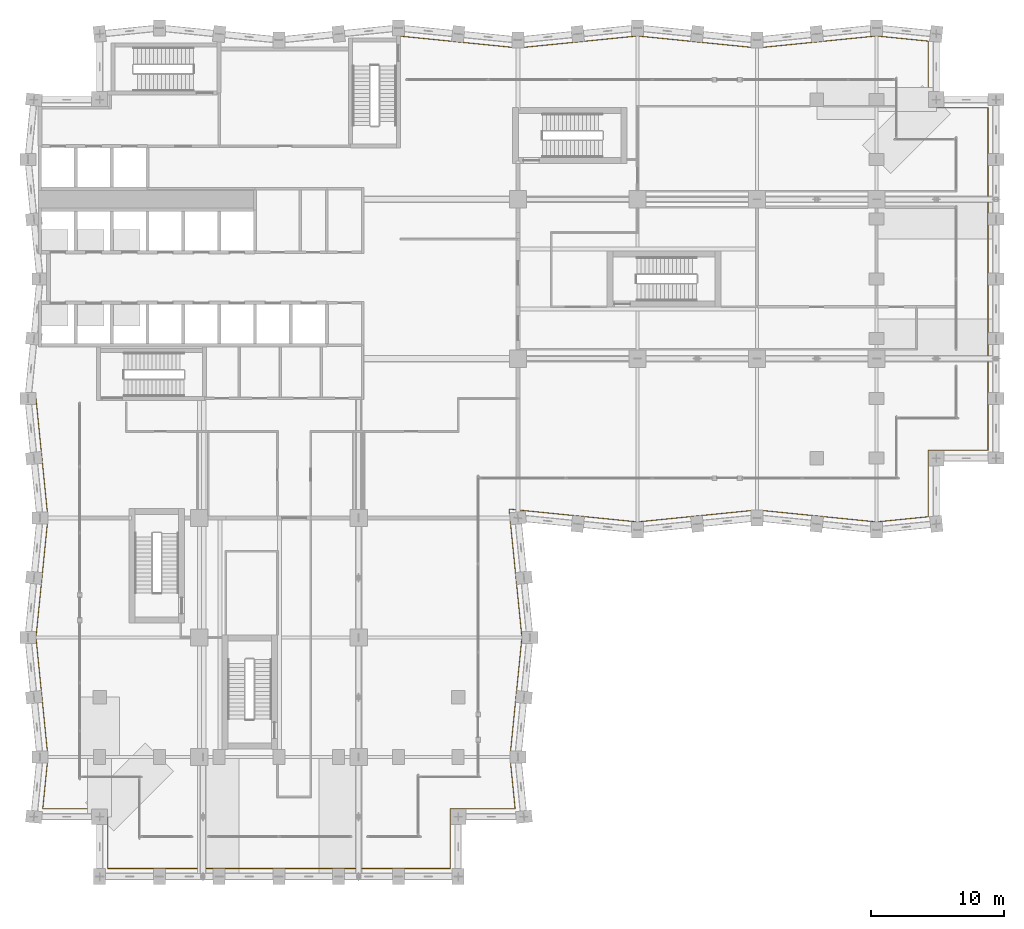
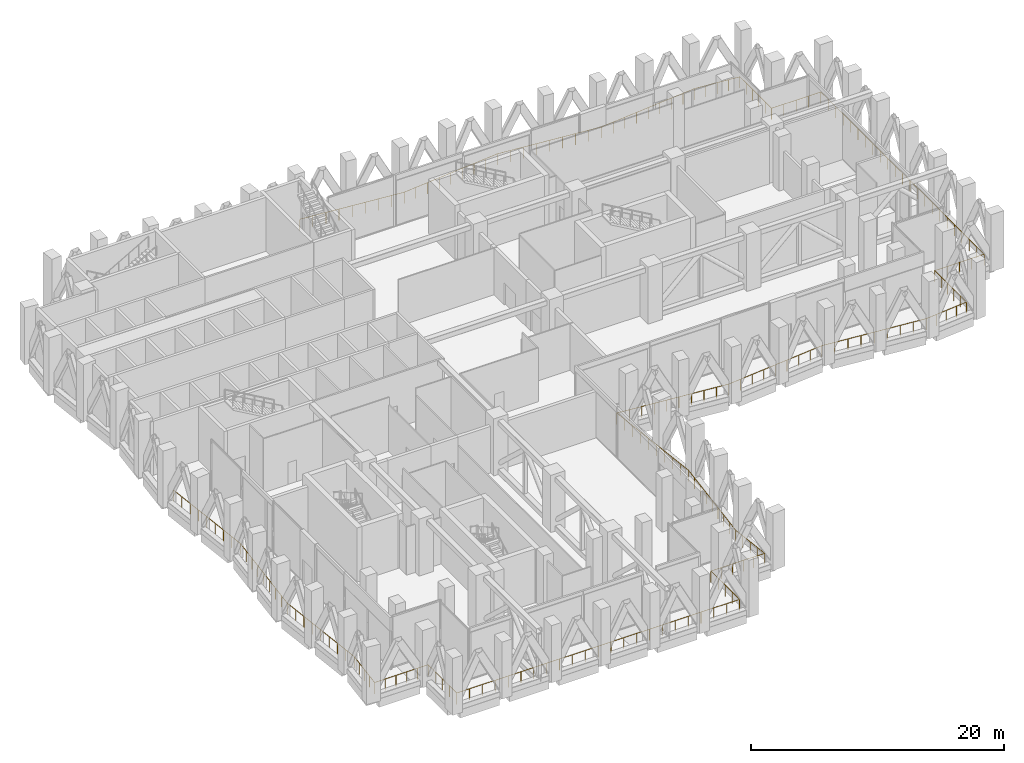
# One storey, part 33 of 37: 1 railing.
"""IFC4 building model written with IfcOpenShell, lengths in metres."""

from ifc_helpers import new_model, si_unit, direction, frame, origin, origin_2d, place, context, subcontext, project, spatial, circle, extrude, material, type_object, element, save


model = new_model("IFC4")

# Units and contexts
model_context = context("Model", 3, precision=1e-05, world=origin(), true_north=direction((0.0, 1.0)))
body_context = subcontext(model_context, "Body", "Model", "MODEL_VIEW")
ifc_project = project(units=[si_unit("LENGTHUNIT", "METRE"), si_unit("AREAUNIT", "SQUARE_METRE"), si_unit("VOLUMEUNIT", "CUBIC_METRE"), si_unit("PLANEANGLEUNIT", "RADIAN"), si_unit("MASSUNIT", "GRAM", prefix="KILO")], contexts=[model_context])

# Site, building, storey
site_placement = place(None, origin())
site = spatial("IfcSite", under=ifc_project, at=site_placement, CompositionType="ELEMENT")
building_placement = place(site_placement, origin())
building = spatial("IfcBuilding", under=site, at=building_placement, Name="Brondeck Convention Tower", CompositionType="ELEMENT")
storey_placement = place(building_placement, frame((0.0, 0.0, 137.89990234375)))
storey = spatial("IfcBuildingStorey", under=building, at=storey_placement, Name="L33", CompositionType="ELEMENT", Elevation=137.89990234375)

# Railing
ifc_material = material(Name="Steel S355, bronze painted", Category="steel")
railing_type = type_object("IfcRailingType", Name="Guard, bronze steel rail and posts", PredefinedType="GUARDRAIL", material=ifc_material)
railing_placement = place(storey_placement, frame((-0.297119140625, 36.0, 0.0)))
element("IfcRailing", 1, at=railing_placement, inside=storey, type_object=railing_type, Name="ENV-RL-L33-1", PredefinedType="GUARDRAIL", context=body_context, shape_type="SweptSolid", body=[
    extrude(circle(Radius=0.02490234375, at=origin_2d()), frame((0.0, 0.0, 1.0751953125), z_axis=(0.0995197539, -0.995035586592, 0.0), x_axis=(0.995035586592, 0.0995197539, 0.0)), (0.0, 0.0, 1.0), 9.044921875),
    extrude(circle(Radius=0.02490234375, at=origin_2d()), frame((0.900146484375, -9.0, 1.0751953125), z_axis=(-0.0995197539, -0.995035586592, 0.0), x_axis=(0.995035586592, -0.0995197539, 0.0)), (0.0, 0.0, 1.0), 9.044921875),
    extrude(circle(Radius=0.02490234375, at=origin_2d()), frame((0.0, -18.0, 1.0751953125), z_axis=(0.0995197539, -0.995035586592, 0.0), x_axis=(0.995035586592, 0.0995197539, 0.0)), (0.0, 0.0, 1.0), 9.044921875),
    extrude(circle(Radius=0.02490234375, at=origin_2d()), frame((0.900146484375, -27.0, 1.0751953125), z_axis=(-0.099540723397, -0.995033489077, 0.0), x_axis=(0.995033489077, -0.099540723397, 0.0)), (0.0, 0.0, 1.0), 3.91943359375),
    extrude(circle(Radius=0.02490234375, at=origin_2d()), frame((0.510009765625, -30.89990234375, 1.0751953125), z_axis=(1.0, 0.0, 0.0), x_axis=(0.0, 1.0, 0.0)), (0.0, 0.0, 1.0), 4.88720703125),
    extrude(circle(Radius=0.02490234375, at=origin_2d()), frame((5.397216796875, -30.89990234375, 1.0751953125), z_axis=(0.0, -1.0, 0.0), x_axis=(1.0, 0.0, 0.0)), (0.0, 0.0, 1.0), 4.5),
    extrude(circle(Radius=0.02490234375, at=origin_2d()), frame((5.397216796875, -35.39990234375, 1.0751953125), z_axis=(1.0, 0.0, 0.0), x_axis=(0.0, 1.0, 0.0)), (0.0, 0.0, 1.0), 25.7998046875),
    extrude(circle(Radius=0.02490234375, at=origin_2d()), frame((31.197021484375, -35.39990234375, 1.0751953125), z_axis=(0.0, 1.0, 0.0), x_axis=(-1.0, 0.0, 0.0)), (0.0, 0.0, 1.0), 4.5),
    extrude(circle(Radius=0.02490234375, at=origin_2d()), frame((31.197021484375, -30.89990234375, 1.0751953125), z_axis=(1.0, 0.0, 0.0), x_axis=(0.0, 1.0, 0.0)), (0.0, 0.0, 1.0), 4.88720703125),
    extrude(circle(Radius=0.02490234375, at=origin_2d()), frame((36.084228515625, -30.89990234375, 1.0751953125), z_axis=(-0.099540723397, 0.995033489077, 0.0), x_axis=(-0.995033489077, -0.099540723397, 0.0)), (0.0, 0.0, 1.0), 3.91943359375),
    extrude(circle(Radius=0.02490234375, at=origin_2d()), frame((35.694091796875, -27.0, 1.0751953125), z_axis=(0.0995197539, 0.995035586592, 0.0), x_axis=(-0.995035586592, 0.0995197539, 0.0)), (0.0, 0.0, 1.0), 9.044921875),
    extrude(circle(Radius=0.02490234375, at=origin_2d()), frame((36.59423828125, -18.0, 1.0751953125), z_axis=(-0.099508693696, 0.99503669273, 0.0), x_axis=(-0.99503669273, -0.099508693696, 0.0)), (0.0, 0.0, 1.0), 9.71826171875),
    extrude(circle(Radius=0.02490234375, at=origin_2d()), frame((35.627197265625, -8.330078125, 1.0751953125), z_axis=(0.99503669273, -0.099508693696, 0.0), x_axis=(0.099508693696, 0.99503669273, 0.0)), (0.0, 0.0, 1.0), 9.71826171875),
    extrude(circle(Radius=0.02490234375, at=origin_2d()), frame((45.297119140625, -9.297119140625, 1.0751953125), z_axis=(0.995035586592, 0.0995197539, 0.0), x_axis=(-0.0995197539, 0.995035586592, 0.0)), (0.0, 0.0, 1.0), 9.044921875),
    extrude(circle(Radius=0.02490234375, at=origin_2d()), frame((54.297119140625, -8.39697265625, 1.0751953125), z_axis=(0.995035586592, -0.0995197539, 0.0), x_axis=(0.0995197539, 0.995035586592, 0.0)), (0.0, 0.0, 1.0), 9.044921875),
    extrude(circle(Radius=0.02490234375, at=origin_2d()), frame((63.297119140625, -9.297119140625, 1.0751953125), z_axis=(0.995033489077, 0.099540723397, 0.0), x_axis=(-0.099540723397, 0.995033489077, 0.0)), (0.0, 0.0, 1.0), 3.91943359375),
    extrude(circle(Radius=0.02490234375, at=origin_2d()), frame((67.197021484375, -8.906982421875, 1.0751953125), z_axis=(0.0, 1.0, 0.0), x_axis=(-1.0, 0.0, 0.0)), (0.0, 0.0, 1.0), 5.007080078125),
    extrude(circle(Radius=0.02490234375, at=origin_2d()), frame((67.197021484375, -3.89990234375, 1.0751953125), z_axis=(1.0, 0.0, 0.0), x_axis=(0.0, 1.0, 0.0)), (0.0, 0.0, 1.0), 4.5),
    extrude(circle(Radius=0.02490234375, at=origin_2d()), frame((71.697021484375, -3.89990234375, 1.0751953125), z_axis=(0.0, 1.0, 0.0), x_axis=(-1.0, 0.0, 0.0)), (0.0, 0.0, 1.0), 25.7998046875),
    extrude(circle(Radius=0.02490234375, at=origin_2d()), frame((71.697021484375, 21.89990234375, 1.0751953125), z_axis=(-1.0, 0.0, 0.0), x_axis=(0.0, -1.0, 0.0)), (0.0, 0.0, 1.0), 4.5),
    extrude(circle(Radius=0.02490234375, at=origin_2d()), frame((67.197021484375, 21.89990234375, 1.0751953125), z_axis=(0.0, 1.0, 0.0), x_axis=(-1.0, 0.0, 0.0)), (0.0, 0.0, 1.0), 5.007080078125),
    extrude(circle(Radius=0.02490234375, at=origin_2d()), frame((67.197021484375, 26.906982421875, 1.0751953125), z_axis=(-0.995033489077, 0.099540723397, 0.0), x_axis=(-0.099540723397, -0.995033489077, 0.0)), (0.0, 0.0, 1.0), 3.91943359375),
    extrude(circle(Radius=0.02490234375, at=origin_2d()), frame((63.297119140625, 27.297119140625, 1.0751953125), z_axis=(-0.995035586592, -0.0995197539, 0.0), x_axis=(0.0995197539, -0.995035586592, 0.0)), (0.0, 0.0, 1.0), 9.044921875),
    extrude(circle(Radius=0.02490234375, at=origin_2d()), frame((54.297119140625, 26.39697265625, 1.0751953125), z_axis=(-0.995035586592, 0.0995197539, 0.0), x_axis=(-0.0995197539, -0.995035586592, 0.0)), (0.0, 0.0, 1.0), 9.044921875),
    extrude(circle(Radius=0.02490234375, at=origin_2d()), frame((45.297119140625, 27.297119140625, 1.0751953125), z_axis=(-0.995035586592, -0.0995197539, 0.0), x_axis=(0.0995197539, -0.995035586592, 0.0)), (0.0, 0.0, 1.0), 9.044921875),
    extrude(circle(Radius=0.02490234375, at=origin_2d()), frame((36.297119140625, 26.39697265625, 1.0751953125), z_axis=(-0.995035586592, 0.0995197539, 0.0), x_axis=(-0.0995197539, -0.995035586592, 0.0)), (0.0, 0.0, 1.0), 9.044921875),
    extrude(circle(Radius=0.02490234375, at=origin_2d()), origin(), (0.0, 0.0, 1.0), 1.050048828125),
    extrude(circle(Radius=0.02490234375, at=origin_2d()), frame((0.112548828125, -1.125, 0.0)), (0.0, 0.0, 1.0), 1.050048828125),
    extrude(circle(Radius=0.02490234375, at=origin_2d()), frame((0.22509765625, -2.25, 0.0)), (0.0, 0.0, 1.0), 1.050048828125),
    extrude(circle(Radius=0.02490234375, at=origin_2d()), frame((0.337646484375, -3.375, 0.0)), (0.0, 0.0, 1.0), 1.050048828125),
    extrude(circle(Radius=0.02490234375, at=origin_2d()), frame((0.4501953125, -4.5, 0.0)), (0.0, 0.0, 1.0), 1.050048828125),
    extrude(circle(Radius=0.02490234375, at=origin_2d()), frame((0.5625, -5.625, 0.0)), (0.0, 0.0, 1.0), 1.050048828125),
    extrude(circle(Radius=0.02490234375, at=origin_2d()), frame((0.675048828125, -6.75, 0.0)), (0.0, 0.0, 1.0), 1.050048828125),
    extrude(circle(Radius=0.02490234375, at=origin_2d()), frame((0.78759765625, -7.875, 0.0)), (0.0, 0.0, 1.0), 1.050048828125),
    extrude(circle(Radius=0.02490234375, at=origin_2d()), frame((0.900146484375, -9.0, 0.0)), (0.0, 0.0, 1.0), 1.050048828125),
    extrude(circle(Radius=0.02490234375, at=origin_2d()), frame((0.78759765625, -10.125, 0.0)), (0.0, 0.0, 1.0), 1.050048828125),
    extrude(circle(Radius=0.02490234375, at=origin_2d()), frame((0.675048828125, -11.25, 0.0)), (0.0, 0.0, 1.0), 1.050048828125),
    extrude(circle(Radius=0.02490234375, at=origin_2d()), frame((0.5625, -12.375, 0.0)), (0.0, 0.0, 1.0), 1.050048828125),
    extrude(circle(Radius=0.02490234375, at=origin_2d()), frame((0.4501953125, -13.5, 0.0)), (0.0, 0.0, 1.0), 1.050048828125),
    extrude(circle(Radius=0.02490234375, at=origin_2d()), frame((0.337646484375, -14.625, 0.0)), (0.0, 0.0, 1.0), 1.050048828125),
    extrude(circle(Radius=0.02490234375, at=origin_2d()), frame((0.22509765625, -15.75, 0.0)), (0.0, 0.0, 1.0), 1.050048828125),
    extrude(circle(Radius=0.02490234375, at=origin_2d()), frame((0.112548828125, -16.875, 0.0)), (0.0, 0.0, 1.0), 1.050048828125),
    extrude(circle(Radius=0.02490234375, at=origin_2d()), frame((0.0, -18.0, 0.0)), (0.0, 0.0, 1.0), 1.050048828125),
    extrude(circle(Radius=0.02490234375, at=origin_2d()), frame((0.112548828125, -19.125, 0.0)), (0.0, 0.0, 1.0), 1.050048828125),
    extrude(circle(Radius=0.02490234375, at=origin_2d()), frame((0.22509765625, -20.25, 0.0)), (0.0, 0.0, 1.0), 1.050048828125),
    extrude(circle(Radius=0.02490234375, at=origin_2d()), frame((0.337646484375, -21.375, 0.0)), (0.0, 0.0, 1.0), 1.050048828125),
    extrude(circle(Radius=0.02490234375, at=origin_2d()), frame((0.4501953125, -22.5, 0.0)), (0.0, 0.0, 1.0), 1.050048828125),
    extrude(circle(Radius=0.02490234375, at=origin_2d()), frame((0.5625, -23.625, 0.0)), (0.0, 0.0, 1.0), 1.050048828125),
    extrude(circle(Radius=0.02490234375, at=origin_2d()), frame((0.675048828125, -24.75, 0.0)), (0.0, 0.0, 1.0), 1.050048828125),
    extrude(circle(Radius=0.02490234375, at=origin_2d()), frame((0.78759765625, -25.875, 0.0)), (0.0, 0.0, 1.0), 1.050048828125),
    extrude(circle(Radius=0.02490234375, at=origin_2d()), frame((0.900146484375, -27.0, 0.0)), (0.0, 0.0, 1.0), 1.050048828125),
    extrude(circle(Radius=0.02490234375, at=origin_2d()), frame((0.802734375, -27.97509765625, 0.0)), (0.0, 0.0, 1.0), 1.050048828125),
    extrude(circle(Radius=0.02490234375, at=origin_2d()), frame((0.705078125, -28.949951171875, 0.0)), (0.0, 0.0, 1.0), 1.050048828125),
    extrude(circle(Radius=0.02490234375, at=origin_2d()), frame((0.607421875, -29.9248046875, 0.0)), (0.0, 0.0, 1.0), 1.050048828125),
    extrude(circle(Radius=0.02490234375, at=origin_2d()), frame((0.510009765625, -30.89990234375, 0.0)), (0.0, 0.0, 1.0), 1.050048828125),
    extrude(circle(Radius=0.02490234375, at=origin_2d()), frame((1.487548828125, -30.89990234375, 0.0)), (0.0, 0.0, 1.0), 1.050048828125),
    extrude(circle(Radius=0.02490234375, at=origin_2d()), frame((2.46484375, -30.89990234375, 0.0)), (0.0, 0.0, 1.0), 1.050048828125),
    extrude(circle(Radius=0.02490234375, at=origin_2d()), frame((3.4423828125, -30.89990234375, 0.0)), (0.0, 0.0, 1.0), 1.050048828125),
    extrude(circle(Radius=0.02490234375, at=origin_2d()), frame((4.419677734375, -30.89990234375, 0.0)), (0.0, 0.0, 1.0), 1.050048828125),
    extrude(circle(Radius=0.02490234375, at=origin_2d()), frame((5.397216796875, -30.89990234375, 0.0)), (0.0, 0.0, 1.0), 1.050048828125),
    extrude(circle(Radius=0.02490234375, at=origin_2d()), frame((5.397216796875, -32.02490234375, 0.0)), (0.0, 0.0, 1.0), 1.050048828125),
    extrude(circle(Radius=0.02490234375, at=origin_2d()), frame((5.397216796875, -33.14990234375, 0.0)), (0.0, 0.0, 1.0), 1.050048828125),
    extrude(circle(Radius=0.02490234375, at=origin_2d()), frame((5.397216796875, -34.27490234375, 0.0)), (0.0, 0.0, 1.0), 1.050048828125),
    extrude(circle(Radius=0.02490234375, at=origin_2d()), frame((5.397216796875, -35.39990234375, 0.0)), (0.0, 0.0, 1.0), 1.050048828125),
    extrude(circle(Radius=0.02490234375, at=origin_2d()), frame((6.56982421875, -35.39990234375, 0.0)), (0.0, 0.0, 1.0), 1.050048828125),
    extrude(circle(Radius=0.02490234375, at=origin_2d()), frame((7.74267578125, -35.39990234375, 0.0)), (0.0, 0.0, 1.0), 1.050048828125),
    extrude(circle(Radius=0.02490234375, at=origin_2d()), frame((8.915283203125, -35.39990234375, 0.0)), (0.0, 0.0, 1.0), 1.050048828125),
    extrude(circle(Radius=0.02490234375, at=origin_2d()), frame((10.088134765625, -35.39990234375, 0.0)), (0.0, 0.0, 1.0), 1.050048828125),
    extrude(circle(Radius=0.02490234375, at=origin_2d()), frame((11.2607421875, -35.39990234375, 0.0)), (0.0, 0.0, 1.0), 1.050048828125),
    extrude(circle(Radius=0.02490234375, at=origin_2d()), frame((12.43359375, -35.39990234375, 0.0)), (0.0, 0.0, 1.0), 1.050048828125),
    extrude(circle(Radius=0.02490234375, at=origin_2d()), frame((13.606201171875, -35.39990234375, 0.0)), (0.0, 0.0, 1.0), 1.050048828125),
    extrude(circle(Radius=0.02490234375, at=origin_2d()), frame((14.779052734375, -35.39990234375, 0.0)), (0.0, 0.0, 1.0), 1.050048828125),
    extrude(circle(Radius=0.02490234375, at=origin_2d()), frame((15.95166015625, -35.39990234375, 0.0)), (0.0, 0.0, 1.0), 1.050048828125),
    extrude(circle(Radius=0.02490234375, at=origin_2d()), frame((17.12451171875, -35.39990234375, 0.0)), (0.0, 0.0, 1.0), 1.050048828125),
    extrude(circle(Radius=0.02490234375, at=origin_2d()), frame((18.297119140625, -35.39990234375, 0.0)), (0.0, 0.0, 1.0), 1.050048828125),
    extrude(circle(Radius=0.02490234375, at=origin_2d()), frame((19.4697265625, -35.39990234375, 0.0)), (0.0, 0.0, 1.0), 1.050048828125),
    extrude(circle(Radius=0.02490234375, at=origin_2d()), frame((20.642578125, -35.39990234375, 0.0)), (0.0, 0.0, 1.0), 1.050048828125),
    extrude(circle(Radius=0.02490234375, at=origin_2d()), frame((21.815185546875, -35.39990234375, 0.0)), (0.0, 0.0, 1.0), 1.050048828125),
    extrude(circle(Radius=0.02490234375, at=origin_2d()), frame((22.988037109375, -35.39990234375, 0.0)), (0.0, 0.0, 1.0), 1.050048828125),
    extrude(circle(Radius=0.02490234375, at=origin_2d()), frame((24.16064453125, -35.39990234375, 0.0)), (0.0, 0.0, 1.0), 1.050048828125),
    extrude(circle(Radius=0.02490234375, at=origin_2d()), frame((25.33349609375, -35.39990234375, 0.0)), (0.0, 0.0, 1.0), 1.050048828125),
    extrude(circle(Radius=0.02490234375, at=origin_2d()), frame((26.506103515625, -35.39990234375, 0.0)), (0.0, 0.0, 1.0), 1.050048828125),
    extrude(circle(Radius=0.02490234375, at=origin_2d()), frame((27.678955078125, -35.39990234375, 0.0)), (0.0, 0.0, 1.0), 1.050048828125),
    extrude(circle(Radius=0.02490234375, at=origin_2d()), frame((28.8515625, -35.39990234375, 0.0)), (0.0, 0.0, 1.0), 1.050048828125),
    extrude(circle(Radius=0.02490234375, at=origin_2d()), frame((30.0244140625, -35.39990234375, 0.0)), (0.0, 0.0, 1.0), 1.050048828125),
    extrude(circle(Radius=0.02490234375, at=origin_2d()), frame((31.197021484375, -35.39990234375, 0.0)), (0.0, 0.0, 1.0), 1.050048828125),
    extrude(circle(Radius=0.02490234375, at=origin_2d()), frame((31.197021484375, -34.27490234375, 0.0)), (0.0, 0.0, 1.0), 1.050048828125),
    extrude(circle(Radius=0.02490234375, at=origin_2d()), frame((31.197021484375, -33.14990234375, 0.0)), (0.0, 0.0, 1.0), 1.050048828125),
    extrude(circle(Radius=0.02490234375, at=origin_2d()), frame((31.197021484375, -32.02490234375, 0.0)), (0.0, 0.0, 1.0), 1.050048828125),
    extrude(circle(Radius=0.02490234375, at=origin_2d()), frame((31.197021484375, -30.89990234375, 0.0)), (0.0, 0.0, 1.0), 1.050048828125),
    extrude(circle(Radius=0.02490234375, at=origin_2d()), frame((32.174560546875, -30.89990234375, 0.0)), (0.0, 0.0, 1.0), 1.050048828125),
    extrude(circle(Radius=0.02490234375, at=origin_2d()), frame((33.15185546875, -30.89990234375, 0.0)), (0.0, 0.0, 1.0), 1.050048828125),
    extrude(circle(Radius=0.02490234375, at=origin_2d()), frame((34.12939453125, -30.89990234375, 0.0)), (0.0, 0.0, 1.0), 1.050048828125),
    extrude(circle(Radius=0.02490234375, at=origin_2d()), frame((35.106689453125, -30.89990234375, 0.0)), (0.0, 0.0, 1.0), 1.050048828125),
    extrude(circle(Radius=0.02490234375, at=origin_2d()), frame((36.084228515625, -30.89990234375, 0.0)), (0.0, 0.0, 1.0), 1.050048828125),
    extrude(circle(Radius=0.02490234375, at=origin_2d()), frame((35.98681640625, -29.9248046875, 0.0)), (0.0, 0.0, 1.0), 1.050048828125),
    extrude(circle(Radius=0.02490234375, at=origin_2d()), frame((35.88916015625, -28.949951171875, 0.0)), (0.0, 0.0, 1.0), 1.050048828125),
    extrude(circle(Radius=0.02490234375, at=origin_2d()), frame((35.79150390625, -27.97509765625, 0.0)), (0.0, 0.0, 1.0), 1.050048828125),
    extrude(circle(Radius=0.02490234375, at=origin_2d()), frame((35.694091796875, -27.0, 0.0)), (0.0, 0.0, 1.0), 1.050048828125),
    extrude(circle(Radius=0.02490234375, at=origin_2d()), frame((35.806640625, -25.875, 0.0)), (0.0, 0.0, 1.0), 1.050048828125),
    extrude(circle(Radius=0.02490234375, at=origin_2d()), frame((35.919189453125, -24.75, 0.0)), (0.0, 0.0, 1.0), 1.050048828125),
    extrude(circle(Radius=0.02490234375, at=origin_2d()), frame((36.03173828125, -23.625, 0.0)), (0.0, 0.0, 1.0), 1.050048828125),
    extrude(circle(Radius=0.02490234375, at=origin_2d()), frame((36.14404296875, -22.5, 0.0)), (0.0, 0.0, 1.0), 1.050048828125),
    extrude(circle(Radius=0.02490234375, at=origin_2d()), frame((36.256591796875, -21.375, 0.0)), (0.0, 0.0, 1.0), 1.050048828125),
    extrude(circle(Radius=0.02490234375, at=origin_2d()), frame((36.369140625, -20.25, 0.0)), (0.0, 0.0, 1.0), 1.050048828125),
    extrude(circle(Radius=0.02490234375, at=origin_2d()), frame((36.481689453125, -19.125, 0.0)), (0.0, 0.0, 1.0), 1.050048828125),
    extrude(circle(Radius=0.02490234375, at=origin_2d()), frame((36.59423828125, -18.0, 0.0)), (0.0, 0.0, 1.0), 1.050048828125),
    extrude(circle(Radius=0.02490234375, at=origin_2d()), frame((36.48681640625, -16.925537109375, 0.0)), (0.0, 0.0, 1.0), 1.050048828125),
    extrude(circle(Radius=0.02490234375, at=origin_2d()), frame((36.37939453125, -15.85107421875, 0.0)), (0.0, 0.0, 1.0), 1.050048828125),
    extrude(circle(Radius=0.02490234375, at=origin_2d()), frame((36.27197265625, -14.776611328125, 0.0)), (0.0, 0.0, 1.0), 1.050048828125),
    extrude(circle(Radius=0.02490234375, at=origin_2d()), frame((36.16455078125, -13.7021484375, 0.0)), (0.0, 0.0, 1.0), 1.050048828125),
    extrude(circle(Radius=0.02490234375, at=origin_2d()), frame((36.056884765625, -12.6279296875, 0.0)), (0.0, 0.0, 1.0), 1.050048828125),
    extrude(circle(Radius=0.02490234375, at=origin_2d()), frame((35.949462890625, -11.553466796875, 0.0)), (0.0, 0.0, 1.0), 1.050048828125),
    extrude(circle(Radius=0.02490234375, at=origin_2d()), frame((35.842041015625, -10.47900390625, 0.0)), (0.0, 0.0, 1.0), 1.050048828125),
    extrude(circle(Radius=0.02490234375, at=origin_2d()), frame((35.734619140625, -9.404541015625, 0.0)), (0.0, 0.0, 1.0), 1.050048828125),
    extrude(circle(Radius=0.02490234375, at=origin_2d()), frame((35.627197265625, -8.330078125, 0.0)), (0.0, 0.0, 1.0), 1.050048828125),
    extrude(circle(Radius=0.02490234375, at=origin_2d()), frame((36.70166015625, -8.4375, 0.0)), (0.0, 0.0, 1.0), 1.050048828125),
    extrude(circle(Radius=0.02490234375, at=origin_2d()), frame((37.776123046875, -8.544921875, 0.0)), (0.0, 0.0, 1.0), 1.050048828125),
    extrude(circle(Radius=0.02490234375, at=origin_2d()), frame((38.8505859375, -8.65234375, 0.0)), (0.0, 0.0, 1.0), 1.050048828125),
    extrude(circle(Radius=0.02490234375, at=origin_2d()), frame((39.925048828125, -8.759765625, 0.0)), (0.0, 0.0, 1.0), 1.050048828125),
    extrude(circle(Radius=0.02490234375, at=origin_2d()), frame((40.999267578125, -8.867431640625, 0.0)), (0.0, 0.0, 1.0), 1.050048828125),
    extrude(circle(Radius=0.02490234375, at=origin_2d()), frame((42.07373046875, -8.974853515625, 0.0)), (0.0, 0.0, 1.0), 1.050048828125),
    extrude(circle(Radius=0.02490234375, at=origin_2d()), frame((43.148193359375, -9.082275390625, 0.0)), (0.0, 0.0, 1.0), 1.050048828125),
    extrude(circle(Radius=0.02490234375, at=origin_2d()), frame((44.22265625, -9.189697265625, 0.0)), (0.0, 0.0, 1.0), 1.050048828125),
    extrude(circle(Radius=0.02490234375, at=origin_2d()), frame((45.297119140625, -9.297119140625, 0.0)), (0.0, 0.0, 1.0), 1.050048828125),
    extrude(circle(Radius=0.02490234375, at=origin_2d()), frame((46.422119140625, -9.1845703125, 0.0)), (0.0, 0.0, 1.0), 1.050048828125),
    extrude(circle(Radius=0.02490234375, at=origin_2d()), frame((47.547119140625, -9.072021484375, 0.0)), (0.0, 0.0, 1.0), 1.050048828125),
    extrude(circle(Radius=0.02490234375, at=origin_2d()), frame((48.672119140625, -8.95947265625, 0.0)), (0.0, 0.0, 1.0), 1.050048828125),
    extrude(circle(Radius=0.02490234375, at=origin_2d()), frame((49.797119140625, -8.84716796875, 0.0)), (0.0, 0.0, 1.0), 1.050048828125),
    extrude(circle(Radius=0.02490234375, at=origin_2d()), frame((50.922119140625, -8.734619140625, 0.0)), (0.0, 0.0, 1.0), 1.050048828125),
    extrude(circle(Radius=0.02490234375, at=origin_2d()), frame((52.047119140625, -8.6220703125, 0.0)), (0.0, 0.0, 1.0), 1.050048828125),
    extrude(circle(Radius=0.02490234375, at=origin_2d()), frame((53.172119140625, -8.509521484375, 0.0)), (0.0, 0.0, 1.0), 1.050048828125),
    extrude(circle(Radius=0.02490234375, at=origin_2d()), frame((54.297119140625, -8.39697265625, 0.0)), (0.0, 0.0, 1.0), 1.050048828125),
    extrude(circle(Radius=0.02490234375, at=origin_2d()), frame((55.422119140625, -8.509521484375, 0.0)), (0.0, 0.0, 1.0), 1.050048828125),
    extrude(circle(Radius=0.02490234375, at=origin_2d()), frame((56.547119140625, -8.6220703125, 0.0)), (0.0, 0.0, 1.0), 1.050048828125),
    extrude(circle(Radius=0.02490234375, at=origin_2d()), frame((57.672119140625, -8.734619140625, 0.0)), (0.0, 0.0, 1.0), 1.050048828125),
    extrude(circle(Radius=0.02490234375, at=origin_2d()), frame((58.797119140625, -8.84716796875, 0.0)), (0.0, 0.0, 1.0), 1.050048828125),
    extrude(circle(Radius=0.02490234375, at=origin_2d()), frame((59.922119140625, -8.95947265625, 0.0)), (0.0, 0.0, 1.0), 1.050048828125),
    extrude(circle(Radius=0.02490234375, at=origin_2d()), frame((61.047119140625, -9.072021484375, 0.0)), (0.0, 0.0, 1.0), 1.050048828125),
    extrude(circle(Radius=0.02490234375, at=origin_2d()), frame((62.172119140625, -9.1845703125, 0.0)), (0.0, 0.0, 1.0), 1.050048828125),
    extrude(circle(Radius=0.02490234375, at=origin_2d()), frame((63.297119140625, -9.297119140625, 0.0)), (0.0, 0.0, 1.0), 1.050048828125),
    extrude(circle(Radius=0.02490234375, at=origin_2d()), frame((64.27197265625, -9.19970703125, 0.0)), (0.0, 0.0, 1.0), 1.050048828125),
    extrude(circle(Radius=0.02490234375, at=origin_2d()), frame((65.2470703125, -9.10205078125, 0.0)), (0.0, 0.0, 1.0), 1.050048828125),
    extrude(circle(Radius=0.02490234375, at=origin_2d()), frame((66.22216796875, -9.00439453125, 0.0)), (0.0, 0.0, 1.0), 1.050048828125),
    extrude(circle(Radius=0.02490234375, at=origin_2d()), frame((67.197021484375, -8.906982421875, 0.0)), (0.0, 0.0, 1.0), 1.050048828125),
    extrude(circle(Radius=0.02490234375, at=origin_2d()), frame((67.197021484375, -7.905517578125, 0.0)), (0.0, 0.0, 1.0), 1.050048828125),
    extrude(circle(Radius=0.02490234375, at=origin_2d()), frame((67.197021484375, -6.904052734375, 0.0)), (0.0, 0.0, 1.0), 1.050048828125),
    extrude(circle(Radius=0.02490234375, at=origin_2d()), frame((67.197021484375, -5.90283203125, 0.0)), (0.0, 0.0, 1.0), 1.050048828125),
    extrude(circle(Radius=0.02490234375, at=origin_2d()), frame((67.197021484375, -4.9013671875, 0.0)), (0.0, 0.0, 1.0), 1.050048828125),
    extrude(circle(Radius=0.02490234375, at=origin_2d()), frame((67.197021484375, -3.89990234375, 0.0)), (0.0, 0.0, 1.0), 1.050048828125),
    extrude(circle(Radius=0.02490234375, at=origin_2d()), frame((68.322021484375, -3.89990234375, 0.0)), (0.0, 0.0, 1.0), 1.050048828125),
    extrude(circle(Radius=0.02490234375, at=origin_2d()), frame((69.447021484375, -3.89990234375, 0.0)), (0.0, 0.0, 1.0), 1.050048828125),
    extrude(circle(Radius=0.02490234375, at=origin_2d()), frame((70.572021484375, -3.89990234375, 0.0)), (0.0, 0.0, 1.0), 1.050048828125),
    extrude(circle(Radius=0.02490234375, at=origin_2d()), frame((71.697021484375, -3.89990234375, 0.0)), (0.0, 0.0, 1.0), 1.050048828125),
    extrude(circle(Radius=0.02490234375, at=origin_2d()), frame((71.697021484375, -2.727294921875, 0.0)), (0.0, 0.0, 1.0), 1.050048828125),
    extrude(circle(Radius=0.02490234375, at=origin_2d()), frame((71.697021484375, -1.554443359375, 0.0)), (0.0, 0.0, 1.0), 1.050048828125),
    extrude(circle(Radius=0.02490234375, at=origin_2d()), frame((71.697021484375, -0.3818359375, 0.0)), (0.0, 0.0, 1.0), 1.050048828125),
    extrude(circle(Radius=0.02490234375, at=origin_2d()), frame((71.697021484375, 0.791015625, 0.0)), (0.0, 0.0, 1.0), 1.050048828125),
    extrude(circle(Radius=0.02490234375, at=origin_2d()), frame((71.697021484375, 1.963623046875, 0.0)), (0.0, 0.0, 1.0), 1.050048828125),
    extrude(circle(Radius=0.02490234375, at=origin_2d()), frame((71.697021484375, 3.136474609375, 0.0)), (0.0, 0.0, 1.0), 1.050048828125),
    extrude(circle(Radius=0.02490234375, at=origin_2d()), frame((71.697021484375, 4.30908203125, 0.0)), (0.0, 0.0, 1.0), 1.050048828125),
    extrude(circle(Radius=0.02490234375, at=origin_2d()), frame((71.697021484375, 5.48193359375, 0.0)), (0.0, 0.0, 1.0), 1.050048828125),
    extrude(circle(Radius=0.02490234375, at=origin_2d()), frame((71.697021484375, 6.654541015625, 0.0)), (0.0, 0.0, 1.0), 1.050048828125),
    extrude(circle(Radius=0.02490234375, at=origin_2d()), frame((71.697021484375, 7.827392578125, 0.0)), (0.0, 0.0, 1.0), 1.050048828125),
    extrude(circle(Radius=0.02490234375, at=origin_2d()), frame((71.697021484375, 9.0, 0.0)), (0.0, 0.0, 1.0), 1.050048828125),
    extrude(circle(Radius=0.02490234375, at=origin_2d()), frame((71.697021484375, 10.172607421875, 0.0)), (0.0, 0.0, 1.0), 1.050048828125),
    extrude(circle(Radius=0.02490234375, at=origin_2d()), frame((71.697021484375, 11.345458984375, 0.0)), (0.0, 0.0, 1.0), 1.050048828125),
    extrude(circle(Radius=0.02490234375, at=origin_2d()), frame((71.697021484375, 12.51806640625, 0.0)), (0.0, 0.0, 1.0), 1.050048828125),
    extrude(circle(Radius=0.02490234375, at=origin_2d()), frame((71.697021484375, 13.69091796875, 0.0)), (0.0, 0.0, 1.0), 1.050048828125),
    extrude(circle(Radius=0.02490234375, at=origin_2d()), frame((71.697021484375, 14.863525390625, 0.0)), (0.0, 0.0, 1.0), 1.050048828125),
    extrude(circle(Radius=0.02490234375, at=origin_2d()), frame((71.697021484375, 16.036376953125, 0.0)), (0.0, 0.0, 1.0), 1.050048828125),
    extrude(circle(Radius=0.02490234375, at=origin_2d()), frame((71.697021484375, 17.208984375, 0.0)), (0.0, 0.0, 1.0), 1.050048828125),
    extrude(circle(Radius=0.02490234375, at=origin_2d()), frame((71.697021484375, 18.3818359375, 0.0)), (0.0, 0.0, 1.0), 1.050048828125),
    extrude(circle(Radius=0.02490234375, at=origin_2d()), frame((71.697021484375, 19.554443359375, 0.0)), (0.0, 0.0, 1.0), 1.050048828125),
    extrude(circle(Radius=0.02490234375, at=origin_2d()), frame((71.697021484375, 20.727294921875, 0.0)), (0.0, 0.0, 1.0), 1.050048828125),
    extrude(circle(Radius=0.02490234375, at=origin_2d()), frame((71.697021484375, 21.89990234375, 0.0)), (0.0, 0.0, 1.0), 1.050048828125),
    extrude(circle(Radius=0.02490234375, at=origin_2d()), frame((70.572021484375, 21.89990234375, 0.0)), (0.0, 0.0, 1.0), 1.050048828125),
    extrude(circle(Radius=0.02490234375, at=origin_2d()), frame((69.447021484375, 21.89990234375, 0.0)), (0.0, 0.0, 1.0), 1.050048828125),
    extrude(circle(Radius=0.02490234375, at=origin_2d()), frame((68.322021484375, 21.89990234375, 0.0)), (0.0, 0.0, 1.0), 1.050048828125),
    extrude(circle(Radius=0.02490234375, at=origin_2d()), frame((67.197021484375, 21.89990234375, 0.0)), (0.0, 0.0, 1.0), 1.050048828125),
    extrude(circle(Radius=0.02490234375, at=origin_2d()), frame((67.197021484375, 22.9013671875, 0.0)), (0.0, 0.0, 1.0), 1.050048828125),
    extrude(circle(Radius=0.02490234375, at=origin_2d()), frame((67.197021484375, 23.90283203125, 0.0)), (0.0, 0.0, 1.0), 1.050048828125),
    extrude(circle(Radius=0.02490234375, at=origin_2d()), frame((67.197021484375, 24.904052734375, 0.0)), (0.0, 0.0, 1.0), 1.050048828125),
    extrude(circle(Radius=0.02490234375, at=origin_2d()), frame((67.197021484375, 25.905517578125, 0.0)), (0.0, 0.0, 1.0), 1.050048828125),
    extrude(circle(Radius=0.02490234375, at=origin_2d()), frame((67.197021484375, 26.906982421875, 0.0)), (0.0, 0.0, 1.0), 1.050048828125),
    extrude(circle(Radius=0.02490234375, at=origin_2d()), frame((66.22216796875, 27.00439453125, 0.0)), (0.0, 0.0, 1.0), 1.050048828125),
    extrude(circle(Radius=0.02490234375, at=origin_2d()), frame((65.2470703125, 27.10205078125, 0.0)), (0.0, 0.0, 1.0), 1.050048828125),
    extrude(circle(Radius=0.02490234375, at=origin_2d()), frame((64.27197265625, 27.19970703125, 0.0)), (0.0, 0.0, 1.0), 1.050048828125),
    extrude(circle(Radius=0.02490234375, at=origin_2d()), frame((63.297119140625, 27.297119140625, 0.0)), (0.0, 0.0, 1.0), 1.050048828125),
    extrude(circle(Radius=0.02490234375, at=origin_2d()), frame((62.172119140625, 27.1845703125, 0.0)), (0.0, 0.0, 1.0), 1.050048828125),
    extrude(circle(Radius=0.02490234375, at=origin_2d()), frame((61.047119140625, 27.072021484375, 0.0)), (0.0, 0.0, 1.0), 1.050048828125),
    extrude(circle(Radius=0.02490234375, at=origin_2d()), frame((59.922119140625, 26.95947265625, 0.0)), (0.0, 0.0, 1.0), 1.050048828125),
    extrude(circle(Radius=0.02490234375, at=origin_2d()), frame((58.797119140625, 26.84716796875, 0.0)), (0.0, 0.0, 1.0), 1.050048828125),
    extrude(circle(Radius=0.02490234375, at=origin_2d()), frame((57.672119140625, 26.734619140625, 0.0)), (0.0, 0.0, 1.0), 1.050048828125),
    extrude(circle(Radius=0.02490234375, at=origin_2d()), frame((56.547119140625, 26.6220703125, 0.0)), (0.0, 0.0, 1.0), 1.050048828125),
    extrude(circle(Radius=0.02490234375, at=origin_2d()), frame((55.422119140625, 26.509521484375, 0.0)), (0.0, 0.0, 1.0), 1.050048828125),
    extrude(circle(Radius=0.02490234375, at=origin_2d()), frame((54.297119140625, 26.39697265625, 0.0)), (0.0, 0.0, 1.0), 1.050048828125),
    extrude(circle(Radius=0.02490234375, at=origin_2d()), frame((53.172119140625, 26.509521484375, 0.0)), (0.0, 0.0, 1.0), 1.050048828125),
    extrude(circle(Radius=0.02490234375, at=origin_2d()), frame((52.047119140625, 26.6220703125, 0.0)), (0.0, 0.0, 1.0), 1.050048828125),
    extrude(circle(Radius=0.02490234375, at=origin_2d()), frame((50.922119140625, 26.734619140625, 0.0)), (0.0, 0.0, 1.0), 1.050048828125),
    extrude(circle(Radius=0.02490234375, at=origin_2d()), frame((49.797119140625, 26.84716796875, 0.0)), (0.0, 0.0, 1.0), 1.050048828125),
    extrude(circle(Radius=0.02490234375, at=origin_2d()), frame((48.672119140625, 26.95947265625, 0.0)), (0.0, 0.0, 1.0), 1.050048828125),
    extrude(circle(Radius=0.02490234375, at=origin_2d()), frame((47.547119140625, 27.072021484375, 0.0)), (0.0, 0.0, 1.0), 1.050048828125),
    extrude(circle(Radius=0.02490234375, at=origin_2d()), frame((46.422119140625, 27.1845703125, 0.0)), (0.0, 0.0, 1.0), 1.050048828125),
    extrude(circle(Radius=0.02490234375, at=origin_2d()), frame((45.297119140625, 27.297119140625, 0.0)), (0.0, 0.0, 1.0), 1.050048828125),
    extrude(circle(Radius=0.02490234375, at=origin_2d()), frame((44.172119140625, 27.1845703125, 0.0)), (0.0, 0.0, 1.0), 1.050048828125),
    extrude(circle(Radius=0.02490234375, at=origin_2d()), frame((43.047119140625, 27.072021484375, 0.0)), (0.0, 0.0, 1.0), 1.050048828125),
    extrude(circle(Radius=0.02490234375, at=origin_2d()), frame((41.922119140625, 26.95947265625, 0.0)), (0.0, 0.0, 1.0), 1.050048828125),
    extrude(circle(Radius=0.02490234375, at=origin_2d()), frame((40.797119140625, 26.84716796875, 0.0)), (0.0, 0.0, 1.0), 1.050048828125),
    extrude(circle(Radius=0.02490234375, at=origin_2d()), frame((39.672119140625, 26.734619140625, 0.0)), (0.0, 0.0, 1.0), 1.050048828125),
    extrude(circle(Radius=0.02490234375, at=origin_2d()), frame((38.547119140625, 26.6220703125, 0.0)), (0.0, 0.0, 1.0), 1.050048828125),
    extrude(circle(Radius=0.02490234375, at=origin_2d()), frame((37.422119140625, 26.509521484375, 0.0)), (0.0, 0.0, 1.0), 1.050048828125),
    extrude(circle(Radius=0.02490234375, at=origin_2d()), frame((36.297119140625, 26.39697265625, 0.0)), (0.0, 0.0, 1.0), 1.050048828125),
    extrude(circle(Radius=0.02490234375, at=origin_2d()), frame((35.172119140625, 26.509521484375, 0.0)), (0.0, 0.0, 1.0), 1.050048828125),
    extrude(circle(Radius=0.02490234375, at=origin_2d()), frame((34.047119140625, 26.6220703125, 0.0)), (0.0, 0.0, 1.0), 1.050048828125),
    extrude(circle(Radius=0.02490234375, at=origin_2d()), frame((32.922119140625, 26.734619140625, 0.0)), (0.0, 0.0, 1.0), 1.050048828125),
    extrude(circle(Radius=0.02490234375, at=origin_2d()), frame((31.797119140625, 26.84716796875, 0.0)), (0.0, 0.0, 1.0), 1.050048828125),
    extrude(circle(Radius=0.02490234375, at=origin_2d()), frame((30.672119140625, 26.95947265625, 0.0)), (0.0, 0.0, 1.0), 1.050048828125),
    extrude(circle(Radius=0.02490234375, at=origin_2d()), frame((29.547119140625, 27.072021484375, 0.0)), (0.0, 0.0, 1.0), 1.050048828125),
    extrude(circle(Radius=0.02490234375, at=origin_2d()), frame((28.422119140625, 27.1845703125, 0.0)), (0.0, 0.0, 1.0), 1.050048828125),
    extrude(circle(Radius=0.02490234375, at=origin_2d()), frame((27.297119140625, 27.297119140625, 0.0)), (0.0, 0.0, 1.0), 1.050048828125),
])

save(model, "model.ifc")
